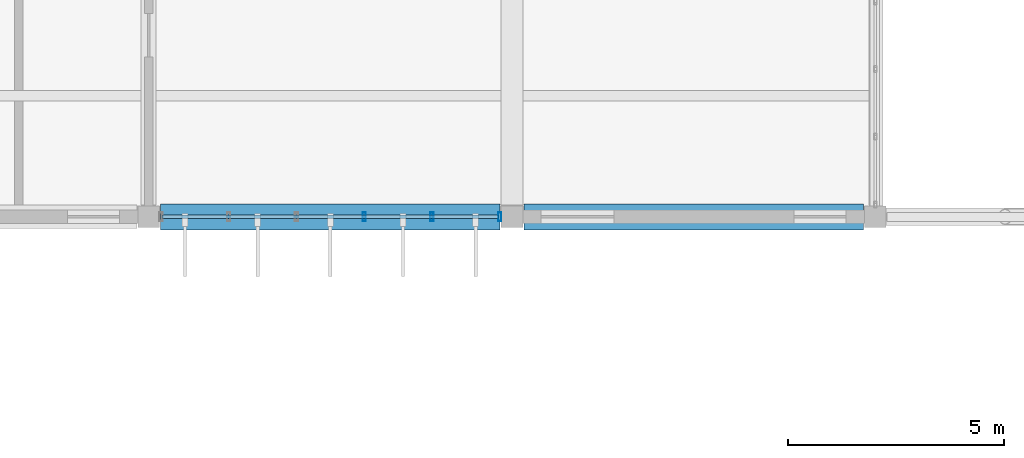
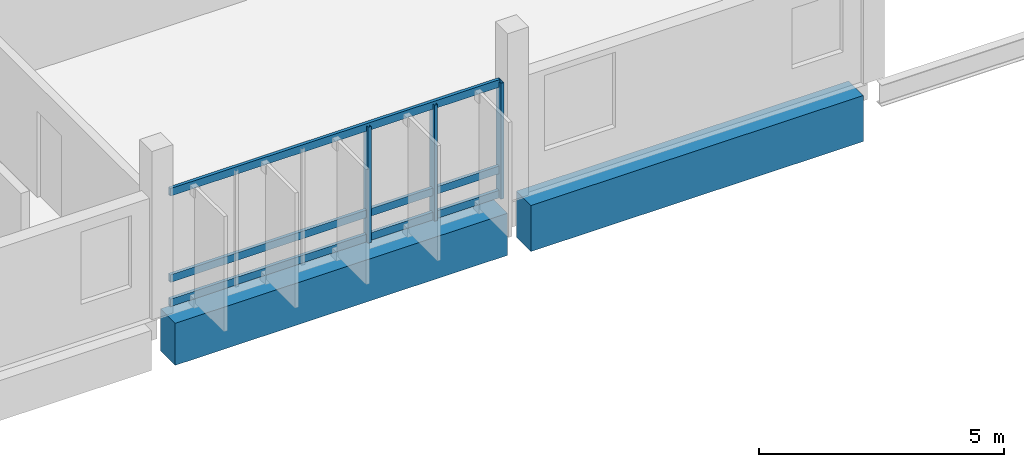
# One storey, part 3 of 107: 6 members, 2 beams, 1 element without a shape of its own.
"""IFC4 building model written with IfcOpenShell, lengths in metres."""

from ifc_helpers import new_model, si_unit, direction, frame, origin, origin_2d, place, context, subcontext, project, spatial, rectangle, hollow_rectangle, extrude, material, layer, layer_set, material_profile, profile_set, type_object, element, aggregate, save


model = new_model("IFC4")

# Units and contexts
model_context = context("Model", 3, precision=1e-05, world=origin(), true_north=direction((0.0, 1.0)))
body_context = subcontext(model_context, "Body", "Model", "MODEL_VIEW")
ifc_project = project(units=[si_unit("LENGTHUNIT", "METRE"), si_unit("AREAUNIT", "SQUARE_METRE"), si_unit("VOLUMEUNIT", "CUBIC_METRE"), si_unit("PLANEANGLEUNIT", "RADIAN"), si_unit("MASSUNIT", "GRAM", prefix="KILO")], contexts=[model_context])

# Site, building, storey
site_placement = place(None, origin())
site = spatial("IfcSite", under=ifc_project, at=site_placement, CompositionType="ELEMENT")
building_placement = place(site_placement, origin())
building = spatial("IfcBuilding", under=site, at=building_placement, Name="Vireocrest Preparatory School", CompositionType="ELEMENT")
storey_placement = place(building_placement, frame((0.0, 0.0, 13.199951171875)))
storey = spatial("IfcBuildingStorey", under=building, at=storey_placement, Name="L03", CompositionType="ELEMENT", Elevation=13.199951171875)

# Curtain wall, members
ifc_material_1 = material(Name="Thermally broken aluminium EN AW-6063-T6", Category="aluminium")
ifc_layer = layer(ifc_material_1, 0.179931640625)
ifc_layer_set = layer_set([ifc_layer], Name="Thermally broken aluminium EN AW-6063-T6")
curtain_wall_type = type_object("IfcCurtainWallType", Name="Library Reading Bay Glazing 7600x4200", PredefinedType="USERDEFINED", material=ifc_layer_set)
curtain_wall_placement = place(storey_placement, origin())
curtain_wall = element("IfcCurtainWall", 1, at=curtain_wall_placement, inside=storey, type_object=curtain_wall_type, Name="Curtain Wall CW16 CW_L03_CW16_0506_0354_132", ObjectType="CURTAIN WALL", PredefinedType="USERDEFINED")
ifc_material_profile_1 = material_profile(ifc_material_1, hollow_rectangle(XDim=0.074951171875, YDim=0.199951171875, WallThickness=0.0048828125, at=origin_2d()), Name="ALU 75x200x5")
ifc_profile_set_1 = profile_set([ifc_material_profile_1], Name="Thermally broken aluminium EN AW-6063-T6")
member_type_1 = type_object("IfcMemberType", Name="CW Mullion 75x200x5", PredefinedType="MULLION", material=ifc_profile_set_1)
member_1_placement = place(storey_placement, frame((55.383056640625, 35.39990234375, 0.0), z_axis=(0.0, 0.0, 1.0), x_axis=(1.0, 0.0, 0.0)))
member_1 = element("IfcMember", 2, at=member_1_placement, type_object=member_type_1, Name="CW Mullion ML3 CW_L03_CW16_0506_0354_132-4", PredefinedType="MULLION", context=body_context, shape_type="SweptSolid", body=[
    extrude(hollow_rectangle(XDim=0.074951171875, YDim=0.199951171875, WallThickness=0.0048828125, at=origin_2d()), origin(), (0.0, 0.0, 1.0), 2.89501953125),
])
member_2_placement = place(storey_placement, frame((56.948974609375, 35.39990234375, 0.0), z_axis=(0.0, 0.0, 1.0), x_axis=(1.0, 0.0, 0.0)))
member_2 = element("IfcMember", 3, at=member_2_placement, type_object=member_type_1, Name="CW Mullion ML3 CW_L03_CW16_0506_0354_132-5", PredefinedType="MULLION", context=body_context, shape_type="SweptSolid", body=[
    extrude(hollow_rectangle(XDim=0.074951171875, YDim=0.199951171875, WallThickness=0.0048828125, at=origin_2d()), origin(), (0.0, 0.0, 1.0), 2.89501953125),
])
member_3_placement = place(storey_placement, frame((58.514892578125, 35.39990234375, 0.0), z_axis=(0.0, 0.0, 1.0), x_axis=(1.0, 0.0, 0.0)))
member_3 = element("IfcMember", 4, at=member_3_placement, type_object=member_type_1, Name="CW Mullion ML3 CW_L03_CW16_0506_0354_132-6", PredefinedType="MULLION", context=body_context, shape_type="SweptSolid", body=[
    extrude(hollow_rectangle(XDim=0.074951171875, YDim=0.199951171875, WallThickness=0.0048828125, at=origin_2d()), origin(), (0.0, 0.0, 1.0), 2.89501953125),
])
ifc_material_profile_2 = material_profile(ifc_material_1, hollow_rectangle(XDim=0.074951171875, YDim=0.18994140625, WallThickness=0.00390625, at=origin_2d()), Name="ALU 75x190x4")
ifc_profile_set_2 = profile_set([ifc_material_profile_2], Name="Thermally broken aluminium EN AW-6063-T6")
member_type_2 = type_object("IfcMemberType", Name="CW Transom 75x190x4", PredefinedType="USERDEFINED", material=ifc_profile_set_2)
member_4_placement = place(storey_placement, frame((50.7099609375, 35.39990234375, 0.094970703125), z_axis=(1.0, 0.0, 0.0), x_axis=(0.0, 1.0, 0.0)))
member_4 = element("IfcMember", 5, at=member_4_placement, type_object=member_type_2, Name="CW Transom TR3 CW_L03_CW16_0506_0354_132-1", ObjectType="TRANSOM", PredefinedType="USERDEFINED", context=body_context, shape_type="SweptSolid", body=[
    extrude(hollow_rectangle(XDim=0.074951171875, YDim=0.18994140625, WallThickness=0.00390625, at=origin_2d()), origin(), (0.0, 0.0, 1.0), 7.780029296875),
])
member_5_placement = place(storey_placement, frame((50.7099609375, 35.39990234375, 0.699951171875), z_axis=(1.0, 0.0, 0.0), x_axis=(0.0, 1.0, 0.0)))
member_5 = element("IfcMember", 6, at=member_5_placement, type_object=member_type_2, Name="CW Transom TR3 CW_L03_CW16_0506_0354_132-2", ObjectType="TRANSOM", PredefinedType="USERDEFINED", context=body_context, shape_type="SweptSolid", body=[
    extrude(hollow_rectangle(XDim=0.074951171875, YDim=0.18994140625, WallThickness=0.00390625, at=origin_2d()), origin(), (0.0, 0.0, 1.0), 7.780029296875),
])
member_6_placement = place(storey_placement, frame((50.7099609375, 35.39990234375, 2.85498046875), z_axis=(1.0, 0.0, 0.0), x_axis=(0.0, 1.0, 0.0)))
member_6 = element("IfcMember", 7, at=member_6_placement, type_object=member_type_2, Name="CW Transom TR3 CW_L03_CW16_0506_0354_132-3", ObjectType="TRANSOM", PredefinedType="USERDEFINED", context=body_context, shape_type="SweptSolid", body=[
    extrude(hollow_rectangle(XDim=0.074951171875, YDim=0.18994140625, WallThickness=0.00390625, at=origin_2d()), origin(), (0.0, 0.0, 1.0), 7.780029296875),
])
aggregate(curtain_wall, [member_1, member_2, member_3, member_4, member_5, member_6])

# Beams
ifc_material_2 = material(Name="Concrete 40 MPa", Category="concrete")
ifc_material_profile_3 = material_profile(ifc_material_2, rectangle(XDim=0.60009765625, YDim=1.14990234375, at=origin_2d()), Name="RC 600x1150")
ifc_profile_set_3 = profile_set([ifc_material_profile_3], Name="Concrete 40 MPa")
beam_type_1 = type_object("IfcBeamType", Name="RC Heavy Transfer Girder 600x1150", PredefinedType="BEAM", material=ifc_profile_set_3)
beam_1_placement = place(storey_placement, frame((59.074951171875, 35.39990234375, -0.81494140625), z_axis=(1.0, 0.0, 0.0), x_axis=(0.0, 1.0, 0.0)))
element("IfcBeam", 8, at=beam_1_placement, inside=storey, type_object=beam_type_1, Name="Primary Girder B20 L03-1044", PredefinedType="BEAM", context=body_context, shape_type="SweptSolid", body=[
    extrude(rectangle(XDim=0.60009765625, YDim=1.14990234375, at=origin_2d()), origin(), (0.0, 0.0, 1.0), 7.85009765625),
])
ifc_material_profile_4 = material_profile(ifc_material_2, rectangle(XDim=0.60009765625, YDim=1.050048828125, at=origin_2d()), Name="RC 600x1050")
ifc_profile_set_4 = profile_set([ifc_material_profile_4], Name="Concrete 40 MPa")
beam_type_2 = type_object("IfcBeamType", Name="RC Transfer Girder 600x1050", PredefinedType="BEAM", material=ifc_profile_set_4)
beam_2_placement = place(storey_placement, frame((50.675048828125, 35.39990234375, -0.764892578125), z_axis=(1.0, 0.0, 0.0), x_axis=(0.0, 1.0, 0.0)))
element("IfcBeam", 9, at=beam_2_placement, inside=storey, type_object=beam_type_2, Name="Primary Girder B19 L03-1043", PredefinedType="BEAM", context=body_context, shape_type="SweptSolid", body=[
    extrude(rectangle(XDim=0.60009765625, YDim=1.050048828125, at=origin_2d()), origin(), (0.0, 0.0, 1.0), 7.849853515625),
])

save(model, "model.ifc")
